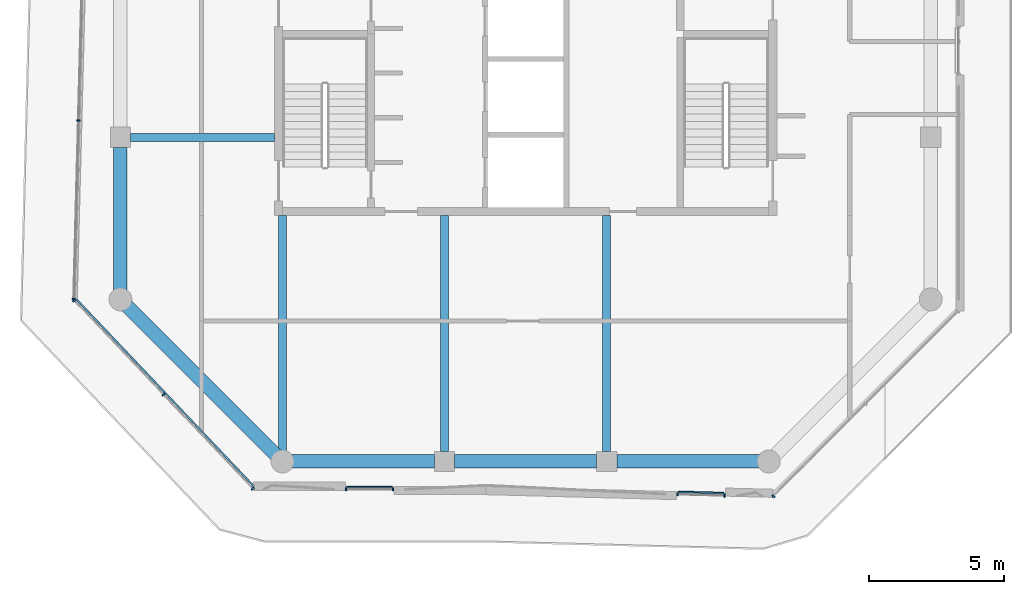
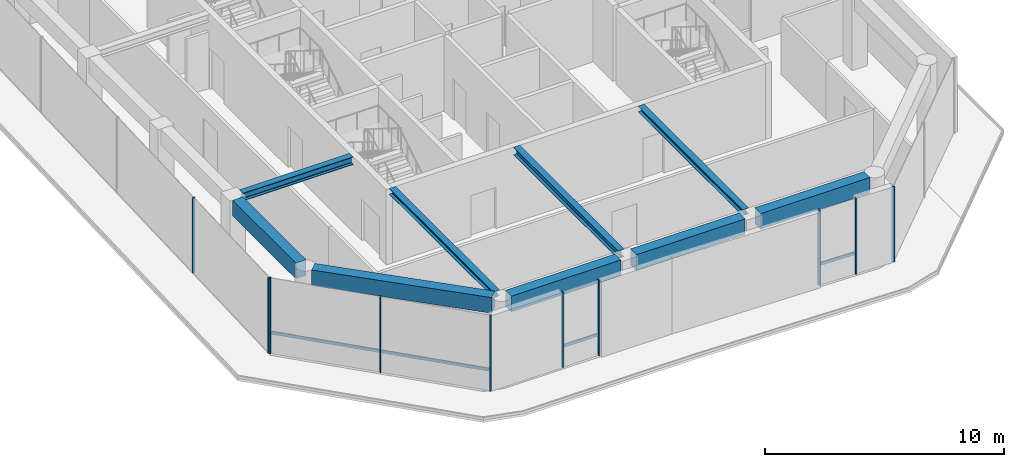
# One storey, part 2 of 18: 13 members, 9 beams, 5 elements without a shape of their own.
"""IFC4 building model written with IfcOpenShell, lengths in metres."""

from ifc_helpers import new_model, si_unit, direction, frame, origin, origin_2d, place, context, subcontext, project, spatial, rectangle, i_section, extrude, material, layer, layer_set, material_profile, profile_set, type_object, element, aggregate, save


model = new_model("IFC4")

# Units and contexts
model_context = context("Model", 3, precision=1e-05, world=origin(), true_north=direction((0.0, 1.0)))
body_context = subcontext(model_context, "Body", "Model", "MODEL_VIEW")
ifc_project = project(units=[si_unit("LENGTHUNIT", "METRE"), si_unit("AREAUNIT", "SQUARE_METRE"), si_unit("VOLUMEUNIT", "CUBIC_METRE"), si_unit("PLANEANGLEUNIT", "RADIAN"), si_unit("MASSUNIT", "GRAM", prefix="KILO")], contexts=[model_context])

# Site, building, storey
site_placement = place(None, origin())
site = spatial("IfcSite", under=ifc_project, at=site_placement, CompositionType="ELEMENT")
building_placement = place(site_placement, origin())
building = spatial("IfcBuilding", under=site, at=building_placement, Name="Welwitschia Terrace Campus", CompositionType="ELEMENT")
storey_placement = place(building_placement, frame((0.0, 0.0, 281.0)))
storey = spatial("IfcBuildingStorey", under=building, at=storey_placement, Name="L62", CompositionType="ELEMENT", Elevation=281.0)

# Beams
ifc_material_1 = material(Name="Steel S355", Category="steel")
ifc_material_profile_1 = material_profile(ifc_material_1, i_section(OverallWidth=0.300048828125, OverallDepth=0.300048828125, WebThickness=0.010986328125, FlangeThickness=0.01904296875, FilletRadius=0.027099609375, at=origin_2d()))
ifc_profile_set_1 = profile_set([ifc_material_profile_1], Name="Steel S355")
beam_type_1 = type_object("IfcBeamType", Name="Interior girder HE 300 B", PredefinedType="BEAM", material=ifc_profile_set_1)
beam_1_placement = place(storey_placement, frame((6.0, -3.611572265625, 3.699951171875), z_axis=(0.0, 1.0, 0.0), x_axis=(-1.0, 0.0, 0.0)))
element("IfcBeam", 1, at=beam_1_placement, inside=storey, type_object=beam_type_1, Name="Girder GB6", PredefinedType="BEAM", context=body_context, shape_type="SweptSolid", body=[
    extrude(i_section(OverallWidth=0.300048828125, OverallDepth=0.300048828125, WebThickness=0.010986328125, FlangeThickness=0.01904296875, FilletRadius=0.027099609375, at=origin_2d()), origin(), (0.0, 0.0, 1.0), 8.710693359375),
])
beam_2_placement = place(storey_placement, frame((18.0, -3.634521484375, 3.699951171875), z_axis=(0.0, 1.0, 0.0), x_axis=(-1.0, 0.0, 0.0)))
element("IfcBeam", 2, at=beam_2_placement, inside=storey, type_object=beam_type_1, Name="Girder GB6", PredefinedType="BEAM", context=body_context, shape_type="SweptSolid", body=[
    extrude(i_section(OverallWidth=0.300048828125, OverallDepth=0.300048828125, WebThickness=0.010986328125, FlangeThickness=0.01904296875, FilletRadius=0.027099609375, at=origin_2d()), origin(), (0.0, 0.0, 1.0), 8.733642578125),
])

# Curtain wall, members
ifc_material_2 = material(Name="Bronze anodised aluminium", Category="aluminium")
ifc_layer = layer(ifc_material_2, 0.1201171875)
ifc_layer_set = layer_set([ifc_layer], Name="Bronze anodised aluminium")
curtain_wall_type = type_object("IfcCurtainWallType", Name="Curtain wall CW2 tower 6000", PredefinedType="NOTDEFINED", material=ifc_layer_set)
curtain_wall_1_placement = place(storey_placement, origin())
curtain_wall_1 = element("IfcCurtainWall", 3, at=curtain_wall_1_placement, inside=storey, type_object=curtain_wall_type, Name="CW L62.1.0", PredefinedType="NOTDEFINED")
ifc_material_3 = material(Name="Bronze anodised aluminium", Category="aluminium")
ifc_material_profile_2 = material_profile(ifc_material_3, rectangle(XDim=0.1201171875, YDim=0.06005859375, at=origin_2d()))
ifc_profile_set_2 = profile_set([ifc_material_profile_2], Name="Bronze anodised aluminium")
member_type_1 = type_object("IfcMemberType", Name="Mullion 60x120", PredefinedType="MULLION", material=ifc_profile_set_2)
member_1_placement = place(storey_placement, frame((-1.552490234375, 8.627685546875, 0.0), z_axis=(0.0, 0.0, 1.0), x_axis=(0.999657324976, -0.026176948308, 0.0)))
member_1 = element("IfcMember", 4, at=member_1_placement, type_object=member_type_1, Name="Mullion L62.1.0.3", PredefinedType="MULLION", context=body_context, shape_type="SweptSolid", body=[
    extrude(rectangle(XDim=0.1201171875, YDim=0.06005859375, at=origin_2d()), origin(), (0.0, 0.0, 1.0), 3.85009765625),
])
member_2_placement = place(storey_placement, frame((-1.72607421875, 2.00537109375, 0.0), z_axis=(0.0, 0.0, 1.0), x_axis=(0.999657324976, -0.026176948308, 0.0)))
member_2 = element("IfcMember", 5, at=member_2_placement, type_object=member_type_1, Name="Mullion L62.1.0.4", PredefinedType="MULLION", context=body_context, shape_type="SweptSolid", body=[
    extrude(rectangle(XDim=0.1201171875, YDim=0.06005859375, at=origin_2d()), origin(), (0.0, 0.0, 1.0), 3.85009765625),
])
aggregate(curtain_wall_1, [member_1, member_2])

curtain_wall_2_placement = place(storey_placement, origin())
curtain_wall_2 = element("IfcCurtainWall", 6, at=curtain_wall_2_placement, inside=storey, type_object=curtain_wall_type, Name="CW L62.2.0", PredefinedType="NOTDEFINED")
member_3_placement = place(storey_placement, frame((-1.7060546875, 1.95361328125, 0.0), z_axis=(0.0, 0.0, 1.0), x_axis=(0.725374371012, 0.688354575694, 0.0)))
member_3 = element("IfcMember", 7, at=member_3_placement, type_object=member_type_1, Name="Mullion L62.2.0.0", PredefinedType="MULLION", context=body_context, shape_type="SweptSolid", body=[
    extrude(rectangle(XDim=0.1201171875, YDim=0.06005859375, at=origin_2d()), origin(), (0.0, 0.0, 1.0), 3.85009765625),
])
member_4_placement = place(storey_placement, frame((1.59716796875, -1.52734375, 0.0), z_axis=(0.0, 0.0, 1.0), x_axis=(0.725374371012, 0.688354575694, 0.0)))
member_4 = element("IfcMember", 8, at=member_4_placement, type_object=member_type_1, Name="Mullion L62.2.0.1", PredefinedType="MULLION", context=body_context, shape_type="SweptSolid", body=[
    extrude(rectangle(XDim=0.1201171875, YDim=0.06005859375, at=origin_2d()), origin(), (0.0, 0.0, 1.0), 3.85009765625),
])
member_5_placement = place(storey_placement, frame((4.900390625, -5.00830078125, 0.0), z_axis=(0.0, 0.0, 1.0), x_axis=(0.725374371012, 0.688354575694, 0.0)))
member_5 = element("IfcMember", 9, at=member_5_placement, type_object=member_type_1, Name="Mullion L62.2.0.2", PredefinedType="MULLION", context=body_context, shape_type="SweptSolid", body=[
    extrude(rectangle(XDim=0.1201171875, YDim=0.06005859375, at=origin_2d()), origin(), (0.0, 0.0, 1.0), 3.85009765625),
])

curtain_wall_3_placement = place(storey_placement, origin())
curtain_wall_3 = element("IfcCurtainWall", 10, at=curtain_wall_3_placement, inside=storey, type_object=curtain_wall_type, Name="CW L62.3.S0", PredefinedType="NOTDEFINED")
member_6_placement = place(storey_placement, frame((8.358154296875, -5.030029296875, 0.0), z_axis=(0.0, 0.0, 1.0), x_axis=(0.0, 1.0, 0.0)))
member_6 = element("IfcMember", 11, at=member_6_placement, type_object=member_type_1, Name="Mullion L62.3.S0.0", PredefinedType="MULLION", context=body_context, shape_type="SweptSolid", body=[
    extrude(rectangle(XDim=0.1201171875, YDim=0.06005859375, at=origin_2d()), origin(), (0.0, 0.0, 1.0), 3.85009765625),
])
member_7_placement = place(storey_placement, frame((10.09814453125, -5.030029296875, 0.0), z_axis=(0.0, 0.0, 1.0), x_axis=(0.0, 1.0, 0.0)))
member_7 = element("IfcMember", 12, at=member_7_placement, type_object=member_type_1, Name="Mullion L62.3.S0.1", PredefinedType="MULLION", context=body_context, shape_type="SweptSolid", body=[
    extrude(rectangle(XDim=0.1201171875, YDim=0.06005859375, at=origin_2d()), origin(), (0.0, 0.0, 1.0), 3.85009765625),
])

curtain_wall_4_placement = place(storey_placement, origin())
curtain_wall_4 = element("IfcCurtainWall", 13, at=curtain_wall_4_placement, inside=storey, type_object=curtain_wall_type, Name="CW L62.4.S0", PredefinedType="NOTDEFINED")
member_8_placement = place(storey_placement, frame((20.625732421875, -5.215576171875, 0.0), z_axis=(0.0, 0.0, 1.0), x_axis=(0.026176948308, 0.999657324976, 0.0)))
member_8 = element("IfcMember", 14, at=member_8_placement, type_object=member_type_1, Name="Mullion L62.4.S0.0", PredefinedType="MULLION", context=body_context, shape_type="SweptSolid", body=[
    extrude(rectangle(XDim=0.1201171875, YDim=0.06005859375, at=origin_2d()), origin(), (0.0, 0.0, 1.0), 3.85009765625),
])
member_9_placement = place(storey_placement, frame((22.365234375, -5.26123046875, 0.0), z_axis=(0.0, 0.0, 1.0), x_axis=(0.026176948308, 0.999657324976, 0.0)))
member_9 = element("IfcMember", 15, at=member_9_placement, type_object=member_type_1, Name="Mullion L62.4.S0.1", PredefinedType="MULLION", context=body_context, shape_type="SweptSolid", body=[
    extrude(rectangle(XDim=0.1201171875, YDim=0.06005859375, at=origin_2d()), origin(), (0.0, 0.0, 1.0), 3.85009765625),
])

# Curtain wall, member
curtain_wall_5_placement = place(storey_placement, origin())
curtain_wall_5 = element("IfcCurtainWall", 16, at=curtain_wall_5_placement, inside=storey, type_object=curtain_wall_type, Name="CW L62.5.0", PredefinedType="NOTDEFINED")
member_10_placement = place(storey_placement, frame((24.169921875, -5.28662109375, 0.0), z_axis=(0.0, 0.0, 1.0), x_axis=(-0.707106781187, 0.707106781187, 0.0)))
member_10 = element("IfcMember", 17, at=member_10_placement, type_object=member_type_1, Name="Mullion L62.5.0.0", PredefinedType="MULLION", context=body_context, shape_type="SweptSolid", body=[
    extrude(rectangle(XDim=0.1201171875, YDim=0.06005859375, at=origin_2d()), origin(), (0.0, 0.0, 1.0), 3.85009765625),
])
aggregate(curtain_wall_5, [member_10])

# Beams
ifc_material_4 = material(Name="Steel S355", Category="steel")
ifc_material_profile_3 = material_profile(ifc_material_4, i_section(OverallWidth=0.300048828125, OverallDepth=0.39990234375, WebThickness=0.013427734375, FlangeThickness=0.02392578125, FilletRadius=0.027099609375, at=origin_2d()))
ifc_profile_set_3 = profile_set([ifc_material_profile_3], Name="Steel S355")
beam_type_2 = type_object("IfcBeamType", Name="Primary beam HE 400 B", PredefinedType="BEAM", material=ifc_profile_set_3)
beam_3_placement = place(storey_placement, frame((12.0, -3.62451171875, 3.64990234375), z_axis=(0.0, 1.0, 0.0), x_axis=(-1.0, 0.0, 0.0)))
element("IfcBeam", 18, at=beam_3_placement, inside=storey, type_object=beam_type_2, Name="Primary beam PB6", PredefinedType="BEAM", context=body_context, shape_type="SweptSolid", body=[
    extrude(i_section(OverallWidth=0.300048828125, OverallDepth=0.39990234375, WebThickness=0.013427734375, FlangeThickness=0.02392578125, FilletRadius=0.027099609375, at=origin_2d()), origin(), (0.0, 0.0, 1.0), 8.724609375),
])
beam_4_placement = place(storey_placement, frame((0.37548828125, 8.0, 3.64990234375), z_axis=(1.0, 0.0, 0.0), x_axis=(0.0, 1.0, 0.0)))
element("IfcBeam", 19, at=beam_4_placement, inside=storey, type_object=beam_type_2, Name="Primary beam PB6", PredefinedType="BEAM", context=body_context, shape_type="SweptSolid", body=[
    extrude(i_section(OverallWidth=0.300048828125, OverallDepth=0.39990234375, WebThickness=0.013427734375, FlangeThickness=0.02392578125, FilletRadius=0.027099609375, at=origin_2d()), origin(), (0.0, 0.0, 1.0), 5.324462890625),
])
ifc_material_5 = material(Name="Concrete C50/60", Category="concrete")
ifc_material_profile_4 = material_profile(ifc_material_5, rectangle(XDim=0.5, YDim=0.800048828125, at=origin_2d()))
ifc_profile_set_4 = profile_set([ifc_material_profile_4], Name="Concrete C50/60")
beam_type_3 = type_object("IfcBeamType", Name="Ring spandrel 500x800", PredefinedType="SPANDREL", material=ifc_profile_set_4)
beam_5_placement = place(storey_placement, frame((0.24365234375, 1.75634765625, 3.449951171875), z_axis=(0.707106781187, -0.707106781187, 0.0), x_axis=(0.707106781187, 0.707106781187, 0.0)))
element("IfcBeam", 20, at=beam_5_placement, inside=storey, type_object=beam_type_3, Name="Spandrel SP4", PredefinedType="SPANDREL", context=body_context, shape_type="SweptSolid", body=[
    extrude(rectangle(XDim=0.5, YDim=0.800048828125, at=origin_2d()), origin(), (0.0, 0.0, 1.0), 7.796142578125),
])
beam_6_placement = place(storey_placement, frame((6.344482421875, -4.0, 3.449951171875), z_axis=(1.0, 0.0, 0.0), x_axis=(0.0, 1.0, 0.0)))
element("IfcBeam", 21, at=beam_6_placement, inside=storey, type_object=beam_type_3, Name="Spandrel SP4", PredefinedType="SPANDREL", context=body_context, shape_type="SweptSolid", body=[
    extrude(rectangle(XDim=0.5, YDim=0.800048828125, at=origin_2d()), origin(), (0.0, 0.0, 1.0), 5.280029296875),
])
beam_7_placement = place(storey_placement, frame((12.37548828125, -4.0, 3.449951171875), z_axis=(1.0, 0.0, 0.0), x_axis=(0.0, 1.0, 0.0)))
element("IfcBeam", 22, at=beam_7_placement, inside=storey, type_object=beam_type_3, Name="Spandrel SP4", PredefinedType="SPANDREL", context=body_context, shape_type="SweptSolid", body=[
    extrude(rectangle(XDim=0.5, YDim=0.800048828125, at=origin_2d()), origin(), (0.0, 0.0, 1.0), 5.2490234375),
])
for number, where, z_axis, x_axis, name in (
    (23, (18.37548828125, -4.0, 3.449951171875), (1.0, 0.0, 0.0), (0.0, 1.0, 0.0), "Spandrel SP4"),
    (24, (0.0, 7.62451171875, 3.449951171875), (0.0, -1.0, 0.0), (1.0, 0.0, 0.0), "Spandrel SP4"),
):
    element("IfcBeam", number, at=place(storey_placement, frame(where, z_axis=z_axis, x_axis=x_axis)), inside=storey, type_object=beam_type_3, Name=name, PredefinedType="SPANDREL", context=body_context, shape_type="SweptSolid", body=[
        extrude(rectangle(XDim=0.5, YDim=0.800048828125, at=origin_2d()), origin(), (0.0, 0.0, 1.0), 5.280029296875),
    ])

# Member
ifc_material_6 = material(Name="Bronze anodised aluminium", Category="aluminium")
ifc_material_profile_5 = material_profile(ifc_material_6, rectangle(XDim=0.06005859375, YDim=0.14990234375, at=origin_2d()))
ifc_profile_set_5 = profile_set([ifc_material_profile_5], Name="Bronze anodised aluminium")
member_type_2 = type_object("IfcMemberType", Name="Transom 60x150", PredefinedType="USERDEFINED", material=ifc_profile_set_5)
member_11_placement = place(storey_placement, frame((-1.6201171875, 1.99365234375, 1.0), z_axis=(0.688357149228, -0.725371928811, 0.0), x_axis=(0.725371928811, 0.688357149228, 0.0)))
member_11 = element("IfcMember", 25, at=member_11_placement, type_object=member_type_2, Name="Transom L62.2.0", ObjectType="TRANSOM", PredefinedType="USERDEFINED", context=body_context, shape_type="SweptSolid", body=[
    extrude(rectangle(XDim=0.06005859375, YDim=0.14990234375, at=origin_2d()), origin(), (0.0, 0.0, 1.0), 9.537353515625),
])

aggregate(curtain_wall_2, [member_3, member_4, member_5, member_11])

member_12_placement = place(storey_placement, frame((8.38818359375, -4.93994140625, 1.0), z_axis=(1.0, 0.0, 0.0), x_axis=(0.0, 1.0, 0.0)))
member_12 = element("IfcMember", 26, at=member_12_placement, type_object=member_type_2, Name="Transom L62.3.S0", ObjectType="TRANSOM", PredefinedType="USERDEFINED", context=body_context, shape_type="SweptSolid", body=[
    extrude(rectangle(XDim=0.06005859375, YDim=0.14990234375, at=origin_2d()), origin(), (0.0, 0.0, 1.0), 1.68017578125),
])

aggregate(curtain_wall_3, [member_6, member_7, member_12])

member_13_placement = place(storey_placement, frame((20.657958984375, -5.12646484375, 1.0), z_axis=(0.99965783038, -0.026157640568, 0.0), x_axis=(0.026157640568, 0.99965783038, 0.0)))
member_13 = element("IfcMember", 27, at=member_13_placement, type_object=member_type_2, Name="Transom L62.4.S0", ObjectType="TRANSOM", PredefinedType="USERDEFINED", context=body_context, shape_type="SweptSolid", body=[
    extrude(rectangle(XDim=0.06005859375, YDim=0.14990234375, at=origin_2d()), origin(), (0.0, 0.0, 1.0), 1.679931640625),
])

aggregate(curtain_wall_4, [member_8, member_9, member_13])

save(model, "model.ifc")
